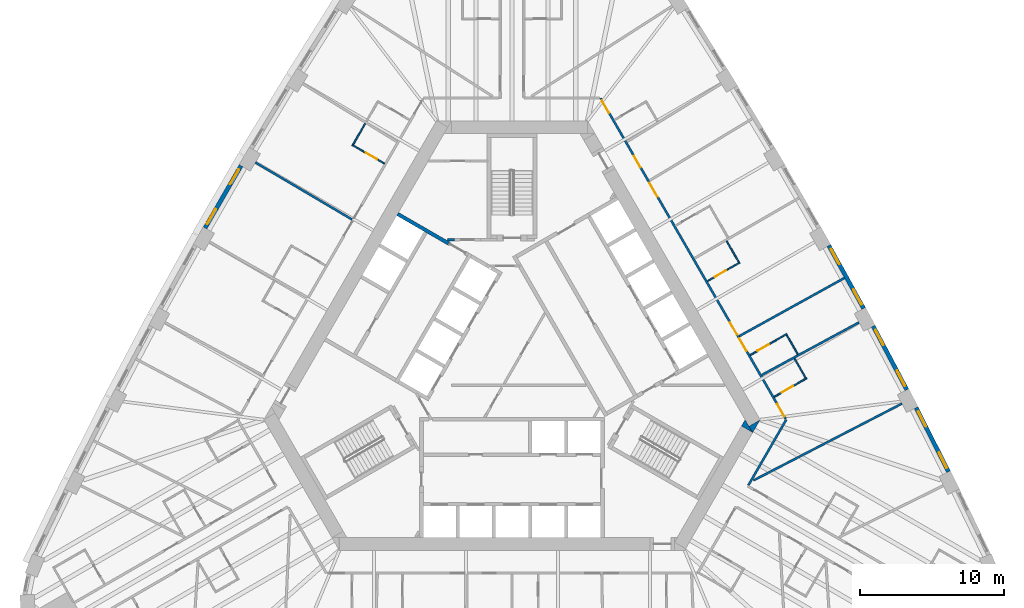
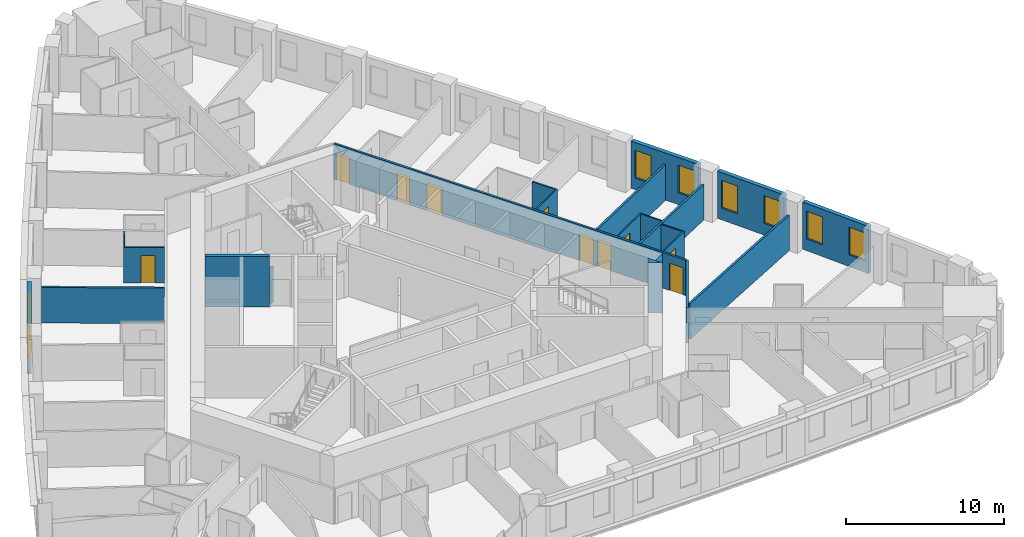
# One storey, part 9 of 13: 22 walls, 10 doors, 8 windows, 18 openings.
"""IFC4 building model written with IfcOpenShell, lengths in metres."""

from ifc_helpers import new_model, si_unit, direction, frame, frame_2d, origin, place, context, subcontext, project, spatial, polyline, rectangle, outline, extrude, material, layer, layer_set, type_object, element, fill, save


model = new_model("IFC4")

# Units and contexts
model_context = context("Model", 3, precision=1e-05, world=origin(), true_north=direction((0.0, 1.0)))
body_context = subcontext(model_context, "Body", "Model", "MODEL_VIEW")
ifc_project = project(units=[si_unit("LENGTHUNIT", "METRE"), si_unit("AREAUNIT", "SQUARE_METRE"), si_unit("VOLUMEUNIT", "CUBIC_METRE"), si_unit("PLANEANGLEUNIT", "RADIAN"), si_unit("MASSUNIT", "GRAM", prefix="KILO")], contexts=[model_context])

# Site, building, storey
site_placement = place(None, origin())
site = spatial("IfcSite", under=ifc_project, at=site_placement, CompositionType="ELEMENT")
building_placement = place(site_placement, origin())
building = spatial("IfcBuilding", under=site, at=building_placement, Name="Mestral Congress Tower", CompositionType="ELEMENT")
storey_placement = place(building_placement, frame((0.0, 0.0, 27.60009765625)))
storey = spatial("IfcBuildingStorey", under=building, at=storey_placement, Name="L05", CompositionType="ELEMENT", Elevation=27.60009765625)

# Walls
ifc_material_1 = material(Name="Fire-rated board partition")
ifc_layer_1 = layer(ifc_material_1, 0.14990234375)
ifc_layer_set_1 = layer_set([ifc_layer_1], Name="Fire-rated board partition")
wall_type_1 = type_object("IfcWallType", Name="Core partition 150", PredefinedType="PARTITIONING", material=ifc_layer_set_1)
wall_1_placement = place(storey_placement, frame((-3.99658203125, 8.625244140625, 0.0), z_axis=(0.0, 0.0, 1.0), x_axis=(-1.0, 0.0, 0.0)))
element("IfcWall", 1, at=wall_1_placement, inside=storey, type_object=wall_type_1, Name="L05 core wall", PredefinedType="PARTITIONING", context=body_context, shape_type="SweptSolid", body=[
    extrude(rectangle(XDim=0.502197265625, YDim=0.14990234375, at=frame_2d((0.2509765625, 0.0))), origin(), (0.0, 0.0, 1.0), 2.75),
])
ifc_material_2 = material(Name="Concrete C60/75", Category="concrete")
ifc_layer_2 = layer(ifc_material_2, 0.89990234375)
ifc_layer_set_2 = layer_set([ifc_layer_2], Name="Concrete C60/75")
wall_type_2 = type_object("IfcWallType", Name="Core wall RC 900", PredefinedType="SOLIDWALL", material=ifc_layer_set_2)
placement = place(storey_placement, origin())
element("IfcWall", 2, at=placement, inside=storey, type_object=wall_type_2, Name="L05 core wall", PredefinedType="SOLIDWALL", context=body_context, shape_type="SweptSolid", body=[
    extrude(outline(polyline([(16.7431640625, -4.800048828125), (16.4892578125, -4.360107421875), (17.251220703125, -3.920166015625), (16.7431640625, -4.800048828125)])), origin(), (0.0, 0.0, 1.0), 3.89990234375),
])
element("IfcWall", 3, at=placement, inside=storey, type_object=wall_type_2, Name="L05 core wall", PredefinedType="SOLIDWALL", context=body_context, shape_type="SweptSolid", body=[
    extrude(outline(polyline([(16.223388671875, -3.900146484375), (16.731689453125, -4.780029296875), (15.969482421875, -4.340087890625), (16.223388671875, -3.900146484375)])), origin(), (0.0, 0.0, 1.0), 3.89990234375),
])

# Wall, openings, windows
ifc_material_3 = material(Name="Precast concrete C40/50 with limestone facing", Category="masonry")
ifc_layer_3 = layer(ifc_material_3, 0.2900390625)
ifc_layer_set_3 = layer_set([ifc_layer_3], Name="Precast concrete C40/50 with limestone facing")
wall_type_3 = type_object("IfcWallType", Name="Facade stone wall 290", PredefinedType="SOLIDWALL", material=ifc_layer_set_3)
wall_4_placement = place(storey_placement, frame((30.376953125, -7.5205078125, 0.0), z_axis=(0.0, 0.0, 1.0), x_axis=(-0.451233929645, 0.892405704115, 0.0)))
wall_4 = element("IfcWall", 4, at=wall_4_placement, inside=storey, type_object=wall_type_3, Name="Facade wall F1-01", PredefinedType="SOLIDWALL", context=body_context, shape_type="SweptSolid", body=[
    extrude(rectangle(XDim=4.998291015625, YDim=0.2900390625, at=frame_2d((2.4990234375, 0.0))), origin(), (0.0, 0.0, 1.0), 3.64990234375),
])
opening_1_placement = place(wall_4_placement, frame((0.297119140625, 0.0, 0.89990234375)))
opening_1 = element("IfcOpeningElement", 5, at=opening_1_placement, cuts=wall_4, Name="Opening W1", PredefinedType="OPENING", context=body_context, shape_type="SweptSolid", body=[
    extrude(rectangle(XDim=1.199951171875, YDim=2.14990234375, at=frame_2d((0.60009765625, 1.074951171875))), frame((0.0, 0.155029296875, 0.0), z_axis=(0.0, -1.0, 0.0), x_axis=(1.0, 0.0, 0.0)), (0.0, 0.0, 1.0), 0.31005859375),
])
opening_2_placement = place(wall_4_placement, frame((3.501220703125, 0.0, 0.89990234375)))
opening_2 = element("IfcOpeningElement", 6, at=opening_2_placement, cuts=wall_4, Name="Opening W1", PredefinedType="OPENING", context=body_context, shape_type="SweptSolid", body=[
    extrude(rectangle(XDim=1.199951171875, YDim=2.14990234375, at=frame_2d((0.60009765625, 1.074951171875))), frame((0.0, 0.155029296875, 0.0), z_axis=(0.0, -1.0, 0.0), x_axis=(1.0, 0.0, 0.0)), (0.0, 0.0, 1.0), 0.31005859375),
])
ifc_material_4 = material(Name="Clear low-emissivity double glazing", Category="glass")
window_type = type_object("IfcWindowType", Name="Facade punched window 1200 x 2150 sill 900", PartitioningType="DOUBLE_PANEL_VERTICAL", PredefinedType="WINDOW", material=ifc_material_4)
window_1_placement = place(opening_1_placement, origin())
window_1 = element("IfcWindow", 7, at=window_1_placement, inside=storey, type_object=window_type, Name="Window F1-01a", OverallHeight=2.14990234375, OverallWidth=1.199951171875, PartitioningType="DOUBLE_PANEL_VERTICAL", PredefinedType="WINDOW", context=body_context, shape_type="SweptSolid", body=[
    extrude(rectangle(XDim=1.199951171875, YDim=2.14990234375, at=frame_2d((0.60009765625, 1.074951171875))), frame((0.0, 0.01513671875, 0.0), z_axis=(0.0, -1.0, 0.0), x_axis=(1.0, 0.0, 0.0)), (0.0, 0.0, 1.0), 0.06005859375),
])
fill(opening_1, window_1)
window_2_placement = place(opening_2_placement, origin())
window_2 = element("IfcWindow", 8, at=window_2_placement, inside=storey, type_object=window_type, Name="Window F1-01b", OverallHeight=2.14990234375, OverallWidth=1.199951171875, PartitioningType="DOUBLE_PANEL_VERTICAL", PredefinedType="WINDOW", context=body_context, shape_type="SweptSolid", body=[
    extrude(rectangle(XDim=1.199951171875, YDim=2.14990234375, at=frame_2d((0.60009765625, 1.074951171875))), frame((0.0, 0.01513671875, 0.0), z_axis=(0.0, -1.0, 0.0), x_axis=(1.0, 0.0, 0.0)), (0.0, 0.0, 1.0), 0.06005859375),
])
fill(opening_2, window_2)

wall_5_placement = place(storey_placement, frame((27.47509765625, -1.810302734375, 0.0), z_axis=(0.0, 0.0, 1.0), x_axis=(-0.467629620899, 0.883924509026, 0.0)))
wall_5 = element("IfcWall", 9, at=wall_5_placement, inside=storey, type_object=wall_type_3, Name="Facade wall F1-02", PredefinedType="SOLIDWALL", context=body_context, shape_type="SweptSolid", body=[
    extrude(rectangle(XDim=4.998291015625, YDim=0.2900390625, at=frame_2d((2.4990234375, 0.0))), origin(), (0.0, 0.0, 1.0), 3.64990234375),
])
opening_3_placement = place(wall_5_placement, frame((0.297119140625, 0.0, 0.89990234375)))
opening_3 = element("IfcOpeningElement", 10, at=opening_3_placement, cuts=wall_5, Name="Opening W1", PredefinedType="OPENING", context=body_context, shape_type="SweptSolid", body=[
    extrude(rectangle(XDim=1.199951171875, YDim=2.14990234375, at=frame_2d((0.60009765625, 1.074951171875))), frame((0.0, 0.155029296875, 0.0), z_axis=(0.0, -1.0, 0.0), x_axis=(1.0, 0.0, 0.0)), (0.0, 0.0, 1.0), 0.31005859375),
])
opening_4_placement = place(wall_5_placement, frame((3.501220703125, 0.0, 0.89990234375)))
opening_4 = element("IfcOpeningElement", 11, at=opening_4_placement, cuts=wall_5, Name="Opening W1", PredefinedType="OPENING", context=body_context, shape_type="SweptSolid", body=[
    extrude(rectangle(XDim=1.199951171875, YDim=2.14990234375, at=frame_2d((0.60009765625, 1.074951171875))), frame((0.0, 0.155029296875, 0.0), z_axis=(0.0, -1.0, 0.0), x_axis=(1.0, 0.0, 0.0)), (0.0, 0.0, 1.0), 0.31005859375),
])
window_3_placement = place(opening_3_placement, origin())
window_3 = element("IfcWindow", 12, at=window_3_placement, inside=storey, type_object=window_type, Name="Window F1-02a", OverallHeight=2.14990234375, OverallWidth=1.199951171875, PartitioningType="DOUBLE_PANEL_VERTICAL", PredefinedType="WINDOW", context=body_context, shape_type="SweptSolid", body=[
    extrude(rectangle(XDim=1.199951171875, YDim=2.14990234375, at=frame_2d((0.60009765625, 1.074951171875))), frame((0.0, 0.01513671875, 0.0), z_axis=(0.0, -1.0, 0.0), x_axis=(1.0, 0.0, 0.0)), (0.0, 0.0, 1.0), 0.06005859375),
])
fill(opening_3, window_3)
window_4_placement = place(opening_4_placement, origin())
window_4 = element("IfcWindow", 13, at=window_4_placement, inside=storey, type_object=window_type, Name="Window F1-02b", OverallHeight=2.14990234375, OverallWidth=1.199951171875, PartitioningType="DOUBLE_PANEL_VERTICAL", PredefinedType="WINDOW", context=body_context, shape_type="SweptSolid", body=[
    extrude(rectangle(XDim=1.199951171875, YDim=2.14990234375, at=frame_2d((0.60009765625, 1.074951171875))), frame((0.0, 0.01513671875, 0.0), z_axis=(0.0, -1.0, 0.0), x_axis=(1.0, 0.0, 0.0)), (0.0, 0.0, 1.0), 0.06005859375),
])
fill(opening_4, window_4)

wall_6_placement = place(storey_placement, frame((24.46826171875, 3.845703125, 0.0), z_axis=(0.0, 0.0, 1.0), x_axis=(-0.483912572871, 0.875116347589, 0.0)))
wall_6 = element("IfcWall", 14, at=wall_6_placement, inside=storey, type_object=wall_type_3, Name="Facade wall F1-03", PredefinedType="SOLIDWALL", context=body_context, shape_type="SweptSolid", body=[
    extrude(rectangle(XDim=4.998291015625, YDim=0.2900390625, at=frame_2d((2.4990234375, 0.0))), origin(), (0.0, 0.0, 1.0), 3.64990234375),
])
opening_5_placement = place(wall_6_placement, frame((0.297119140625, 0.0, 0.89990234375)))
opening_5 = element("IfcOpeningElement", 15, at=opening_5_placement, cuts=wall_6, Name="Opening W1", PredefinedType="OPENING", context=body_context, shape_type="SweptSolid", body=[
    extrude(rectangle(XDim=1.199951171875, YDim=2.14990234375, at=frame_2d((0.60009765625, 1.074951171875))), frame((0.0, 0.155029296875, 0.0), z_axis=(0.0, -1.0, 0.0), x_axis=(1.0, 0.0, 0.0)), (0.0, 0.0, 1.0), 0.31005859375),
])
opening_6_placement = place(wall_6_placement, frame((3.501220703125, 0.0, 0.89990234375)))
opening_6 = element("IfcOpeningElement", 16, at=opening_6_placement, cuts=wall_6, Name="Opening W1", PredefinedType="OPENING", context=body_context, shape_type="SweptSolid", body=[
    extrude(rectangle(XDim=1.199951171875, YDim=2.14990234375, at=frame_2d((0.60009765625, 1.074951171875))), frame((0.0, 0.155029296875, 0.0), z_axis=(0.0, -1.0, 0.0), x_axis=(1.0, 0.0, 0.0)), (0.0, 0.0, 1.0), 0.31005859375),
])
window_5_placement = place(opening_5_placement, origin())
window_5 = element("IfcWindow", 17, at=window_5_placement, inside=storey, type_object=window_type, Name="Window F1-03a", OverallHeight=2.14990234375, OverallWidth=1.199951171875, PartitioningType="DOUBLE_PANEL_VERTICAL", PredefinedType="WINDOW", context=body_context, shape_type="SweptSolid", body=[
    extrude(rectangle(XDim=1.199951171875, YDim=2.14990234375, at=frame_2d((0.60009765625, 1.074951171875))), frame((0.0, 0.01513671875, 0.0), z_axis=(0.0, -1.0, 0.0), x_axis=(1.0, 0.0, 0.0)), (0.0, 0.0, 1.0), 0.06005859375),
])
fill(opening_5, window_5)
window_6_placement = place(opening_6_placement, origin())
window_6 = element("IfcWindow", 18, at=window_6_placement, inside=storey, type_object=window_type, Name="Window F1-03b", OverallHeight=2.14990234375, OverallWidth=1.199951171875, PartitioningType="DOUBLE_PANEL_VERTICAL", PredefinedType="WINDOW", context=body_context, shape_type="SweptSolid", body=[
    extrude(rectangle(XDim=1.199951171875, YDim=2.14990234375, at=frame_2d((0.60009765625, 1.074951171875))), frame((0.0, 0.01513671875, 0.0), z_axis=(0.0, -1.0, 0.0), x_axis=(1.0, 0.0, 0.0)), (0.0, 0.0, 1.0), 0.06005859375),
])
fill(opening_6, window_6)

wall_7_placement = place(storey_placement, frame((-18.85791015625, 13.7734375, 0.0), z_axis=(0.0, 0.0, 1.0), x_axis=(-0.50002123722, -0.866013142123, 0.0)))
wall_7 = element("IfcWall", 19, at=wall_7_placement, inside=storey, type_object=wall_type_3, Name="Facade wall F2-04", PredefinedType="SOLIDWALL", context=body_context, shape_type="SweptSolid", body=[
    extrude(rectangle(XDim=4.998291015625, YDim=0.2900390625, at=frame_2d((2.4990234375, 0.0))), origin(), (0.0, 0.0, 1.0), 3.64990234375),
])
opening_7_placement = place(wall_7_placement, frame((0.297119140625, 0.0, 0.89990234375)))
opening_7 = element("IfcOpeningElement", 20, at=opening_7_placement, cuts=wall_7, Name="Opening W1", PredefinedType="OPENING", context=body_context, shape_type="SweptSolid", body=[
    extrude(rectangle(XDim=1.199951171875, YDim=2.14990234375, at=frame_2d((0.60009765625, 1.074951171875))), frame((0.0, 0.155029296875, 0.0), z_axis=(0.0, -1.0, 0.0), x_axis=(1.0, 0.0, 0.0)), (0.0, 0.0, 1.0), 0.31005859375),
])
opening_8_placement = place(wall_7_placement, frame((3.501220703125, 0.0, 0.89990234375)))
opening_8 = element("IfcOpeningElement", 21, at=opening_8_placement, cuts=wall_7, Name="Opening W1", PredefinedType="OPENING", context=body_context, shape_type="SweptSolid", body=[
    extrude(rectangle(XDim=1.199951171875, YDim=2.14990234375, at=frame_2d((0.60009765625, 1.074951171875))), frame((0.0, 0.155029296875, 0.0), z_axis=(0.0, -1.0, 0.0), x_axis=(1.0, 0.0, 0.0)), (0.0, 0.0, 1.0), 0.31005859375),
])
window_7_placement = place(opening_7_placement, origin())
window_7 = element("IfcWindow", 22, at=window_7_placement, inside=storey, type_object=window_type, Name="Window F2-04a", OverallHeight=2.14990234375, OverallWidth=1.199951171875, PartitioningType="DOUBLE_PANEL_VERTICAL", PredefinedType="WINDOW", context=body_context, shape_type="SweptSolid", body=[
    extrude(rectangle(XDim=1.199951171875, YDim=2.14990234375, at=frame_2d((0.60009765625, 1.074951171875))), frame((0.0, 0.01513671875, 0.0), z_axis=(0.0, -1.0, 0.0), x_axis=(1.0, 0.0, 0.0)), (0.0, 0.0, 1.0), 0.06005859375),
])
fill(opening_7, window_7)
window_8_placement = place(opening_8_placement, origin())
window_8 = element("IfcWindow", 23, at=window_8_placement, inside=storey, type_object=window_type, Name="Window F2-04b", OverallHeight=2.14990234375, OverallWidth=1.199951171875, PartitioningType="DOUBLE_PANEL_VERTICAL", PredefinedType="WINDOW", context=body_context, shape_type="SweptSolid", body=[
    extrude(rectangle(XDim=1.199951171875, YDim=2.14990234375, at=frame_2d((0.60009765625, 1.074951171875))), frame((0.0, 0.01513671875, 0.0), z_axis=(0.0, -1.0, 0.0), x_axis=(1.0, 0.0, 0.0)), (0.0, 0.0, 1.0), 0.06005859375),
])
fill(opening_8, window_8)

# Wall, opening, door
ifc_material_5 = material(Name="Gypsum board partition on metal studs with mineral wool", Category="composite")
ifc_layer_4 = layer(ifc_material_5, 0.10009765625)
ifc_layer_set_4 = layer_set([ifc_layer_4], Name="Gypsum board partition on metal studs with mineral wool")
wall_type_4 = type_object("IfcWallType", Name="Hotel partition wall 100", PredefinedType="PARTITIONING", material=ifc_layer_set_4)
wall_8_placement = place(storey_placement, frame((18.25048828125, -2.31103515625, 0.0), z_axis=(0.0, 0.0, 1.0), x_axis=(0.866021400173, 0.500006934395, 0.0)))
wall_8 = element("IfcWall", 24, at=wall_8_placement, inside=storey, type_object=wall_type_4, Name="L05-h-pod13a", PredefinedType="PARTITIONING", context=body_context, shape_type="SweptSolid", body=[
    extrude(rectangle(XDim=2.60009765625, YDim=0.10009765625, at=frame_2d((1.300048828125, 0.0))), origin(), (0.0, 0.0, 1.0), 2.75),
])
opening_9_placement = place(wall_8_placement, frame((0.60009765625, 0.0, 0.0)))
opening_9 = element("IfcOpeningElement", 25, at=opening_9_placement, cuts=wall_8, Name="Opening H01-025", PredefinedType="OPENING", context=body_context, shape_type="SweptSolid", body=[
    extrude(rectangle(XDim=0.89990234375, YDim=2.10009765625, at=frame_2d((0.449951171875, 1.050048828125))), frame((0.0, 0.06005859375, 0.0), z_axis=(0.0, -1.0, 0.0), x_axis=(1.0, 0.0, 0.0)), (0.0, 0.0, 1.0), 0.1201171875),
])
ifc_material_6 = material(Name="Timber veneer door leaf in timber frame", Category="wood")
door_type_1 = type_object("IfcDoorType", Name="Bathroom door 900", OperationType="SINGLE_SWING_LEFT", PredefinedType="DOOR", material=ifc_material_6)
door_1_placement = place(opening_9_placement, origin())
door_1 = element("IfcDoor", 26, at=door_1_placement, inside=storey, type_object=door_type_1, Name="L05-h-d025", OperationType="SINGLE_SWING_LEFT", OverallHeight=2.10009765625, OverallWidth=0.89990234375, PredefinedType="DOOR", context=body_context, shape_type="SweptSolid", body=[
    extrude(rectangle(XDim=0.89990234375, YDim=2.10009765625, at=frame_2d((0.449951171875, 1.050048828125))), frame((0.0, 0.02490234375, 0.0), z_axis=(0.0, -1.0, 0.0), x_axis=(1.0, 0.0, 0.0)), (0.0, 0.0, 1.0), 0.050048828125),
])
fill(opening_9, door_1)

# Wall
wall_9_placement = place(storey_placement, frame((20.43408203125, -0.99267578125, 0.0), z_axis=(0.0, 0.0, 1.0), x_axis=(-0.500086022567, 0.865975732936, 0.0)))
element("IfcWall", 27, at=wall_9_placement, inside=storey, type_object=wall_type_4, Name="L05-h-pod13b", PredefinedType="PARTITIONING", context=body_context, shape_type="SweptSolid", body=[
    extrude(rectangle(XDim=1.550048828125, YDim=0.10009765625, at=frame_2d((0.77490234375, 0.0))), origin(), (0.0, 0.0, 1.0), 2.75),
])

# Wall, opening, door
wall_10_placement = place(storey_placement, frame((19.127197265625, 2.070556640625, 0.0), z_axis=(0.0, 0.0, 1.0), x_axis=(-0.866003658127, -0.500037662692, 0.0)))
wall_10 = element("IfcWall", 28, at=wall_10_placement, inside=storey, type_object=wall_type_4, Name="L05-h-pod14a", PredefinedType="PARTITIONING", context=body_context, shape_type="SweptSolid", body=[
    extrude(rectangle(XDim=2.949951171875, YDim=0.10009765625, at=frame_2d((1.47509765625, 0.0))), origin(), (0.0, 0.0, 1.0), 2.75),
])
opening_10_placement = place(wall_10_placement, frame((1.449951171875, 0.0, 0.0)))
opening_10 = element("IfcOpeningElement", 29, at=opening_10_placement, cuts=wall_10, Name="Opening H01-027", PredefinedType="OPENING", context=body_context, shape_type="SweptSolid", body=[
    extrude(rectangle(XDim=0.89990234375, YDim=2.10009765625, at=frame_2d((0.449951171875, 1.050048828125))), frame((0.0, 0.06005859375, 0.0), z_axis=(0.0, -1.0, 0.0), x_axis=(1.0, 0.0, 0.0)), (0.0, 0.0, 1.0), 0.1201171875),
])
door_2_placement = place(opening_10_placement, origin())
door_2 = element("IfcDoor", 30, at=door_2_placement, inside=storey, type_object=door_type_1, Name="L05-h-d027", OperationType="SINGLE_SWING_LEFT", OverallHeight=2.10009765625, OverallWidth=0.89990234375, PredefinedType="DOOR", context=body_context, shape_type="SweptSolid", body=[
    extrude(rectangle(XDim=0.89990234375, YDim=2.10009765625, at=frame_2d((0.449951171875, 1.050048828125))), frame((0.0, 0.02490234375, 0.0), z_axis=(0.0, -1.0, 0.0), x_axis=(1.0, 0.0, 0.0)), (0.0, 0.0, 1.0), 0.050048828125),
])
fill(opening_10, door_2)

# Wall
wall_11_placement = place(storey_placement, frame((19.10888671875, 2.002197265625, 0.0), z_axis=(0.0, 0.0, 1.0), x_axis=(0.500086022567, -0.865975732936, 0.0)))
element("IfcWall", 31, at=wall_11_placement, inside=storey, type_object=wall_type_4, Name="L05-h-pod14b", PredefinedType="PARTITIONING", context=body_context, shape_type="SweptSolid", body=[
    extrude(rectangle(XDim=1.550048828125, YDim=0.10009765625, at=frame_2d((0.77490234375, 0.0))), origin(), (0.0, 0.0, 1.0), 2.75),
])

# Wall, opening, door
wall_12_placement = place(storey_placement, frame((13.60009765625, 5.743896484375, 0.0), z_axis=(0.0, 0.0, 1.0), x_axis=(0.866021400173, 0.500006934395, 0.0)))
wall_12 = element("IfcWall", 32, at=wall_12_placement, inside=storey, type_object=wall_type_4, Name="L05-h-pod15a", PredefinedType="PARTITIONING", context=body_context, shape_type="SweptSolid", body=[
    extrude(rectangle(XDim=2.60009765625, YDim=0.10009765625, at=frame_2d((1.300048828125, 0.0))), origin(), (0.0, 0.0, 1.0), 2.75),
])
opening_11_placement = place(wall_12_placement, frame((0.60009765625, 0.0, 0.0)))
opening_11 = element("IfcOpeningElement", 33, at=opening_11_placement, cuts=wall_12, Name="Opening H01-029", PredefinedType="OPENING", context=body_context, shape_type="SweptSolid", body=[
    extrude(rectangle(XDim=0.89990234375, YDim=2.10009765625, at=frame_2d((0.449951171875, 1.050048828125))), frame((0.0, 0.06005859375, 0.0), z_axis=(0.0, -1.0, 0.0), x_axis=(1.0, 0.0, 0.0)), (0.0, 0.0, 1.0), 0.1201171875),
])
door_3_placement = place(opening_11_placement, origin())
door_3 = element("IfcDoor", 34, at=door_3_placement, inside=storey, type_object=door_type_1, Name="L05-h-d029", OperationType="SINGLE_SWING_RIGHT", OverallHeight=2.10009765625, OverallWidth=0.89990234375, PredefinedType="DOOR", context=body_context, shape_type="SweptSolid", body=[
    extrude(rectangle(XDim=0.89990234375, YDim=2.10009765625, at=frame_2d((0.449951171875, 1.050048828125))), frame((0.0, 0.02490234375, 0.0), z_axis=(0.0, -1.0, 0.0), x_axis=(1.0, 0.0, 0.0)), (0.0, 0.0, 1.0), 0.050048828125),
])
fill(opening_11, door_3)

# Wall
wall_13_placement = place(storey_placement, frame((15.778564453125, 7.07080078125, 0.0), z_axis=(0.0, 0.0, 1.0), x_axis=(-0.499976720371, 0.866038843867, 0.0)))
element("IfcWall", 35, at=wall_13_placement, inside=storey, type_object=wall_type_4, Name="L05-h-pod15b", PredefinedType="PARTITIONING", context=body_context, shape_type="SweptSolid", body=[
    extrude(rectangle(XDim=1.68994140625, YDim=0.10009765625, at=frame_2d((0.844970703125, 0.0))), origin(), (0.0, 0.0, 1.0), 2.75),
])

# Wall, opening, door
wall_14_placement = place(storey_placement, frame((-11.12890625, 15.22412109375, 0.0), z_axis=(0.0, 0.0, 1.0), x_axis=(0.866021400173, -0.500006934395, 0.0)))
wall_14 = element("IfcWall", 36, at=wall_14_placement, inside=storey, type_object=wall_type_4, Name="L05-h-pod24a", PredefinedType="PARTITIONING", context=body_context, shape_type="SweptSolid", body=[
    extrude(rectangle(XDim=2.60009765625, YDim=0.10009765625, at=frame_2d((1.300048828125, 0.0))), origin(), (0.0, 0.0, 1.0), 2.75),
])
opening_12_placement = place(wall_14_placement, frame((1.10009765625, 0.0, 0.0)))
opening_12 = element("IfcOpeningElement", 37, at=opening_12_placement, cuts=wall_14, Name="Opening H01-046", PredefinedType="OPENING", context=body_context, shape_type="SweptSolid", body=[
    extrude(rectangle(XDim=0.89990234375, YDim=2.10009765625, at=frame_2d((0.449951171875, 1.050048828125))), frame((0.0, 0.06005859375, 0.0), z_axis=(0.0, -1.0, 0.0), x_axis=(1.0, 0.0, 0.0)), (0.0, 0.0, 1.0), 0.1201171875),
])
door_4_placement = place(opening_12_placement, origin())
door_4 = element("IfcDoor", 38, at=door_4_placement, inside=storey, type_object=door_type_1, Name="L05-h-d046", OperationType="SINGLE_SWING_RIGHT", OverallHeight=2.10009765625, OverallWidth=0.89990234375, PredefinedType="DOOR", context=body_context, shape_type="SweptSolid", body=[
    extrude(rectangle(XDim=0.89990234375, YDim=2.10009765625, at=frame_2d((0.449951171875, 1.050048828125))), frame((0.0, 0.02490234375, 0.0), z_axis=(0.0, -1.0, 0.0), x_axis=(1.0, 0.0, 0.0)), (0.0, 0.0, 1.0), 0.050048828125),
])
fill(opening_12, door_4)

# Walls
wall_15_placement = place(storey_placement, frame((-11.060791015625, 15.2421875, 0.0), z_axis=(0.0, 0.0, 1.0), x_axis=(0.499976720371, 0.866038843867, 0.0)))
element("IfcWall", 39, at=wall_15_placement, inside=storey, type_object=wall_type_4, Name="L05-h-pod24b", PredefinedType="PARTITIONING", context=body_context, shape_type="SweptSolid", body=[
    extrude(rectangle(XDim=1.68994140625, YDim=0.10009765625, at=frame_2d((0.844970703125, 0.0))), origin(), (0.0, 0.0, 1.0), 2.75),
])
ifc_layer_5 = layer(ifc_material_5, 0.14990234375)
ifc_layer_set_5 = layer_set([ifc_layer_5], Name="Gypsum board partition on metal studs with mineral wool")
wall_type_5 = type_object("IfcWallType", Name="Hotel partition wall 150", PredefinedType="PARTITIONING", material=ifc_layer_set_5)
wall_16_placement = place(storey_placement, frame((19.081298828125, -3.89990234375, 0.0), z_axis=(0.0, 0.0, 1.0), x_axis=(-0.499974327079, -0.866040225545, 0.0)))
element("IfcWall", 40, at=wall_16_placement, inside=storey, type_object=wall_type_5, Name="L05-h-cw02", PredefinedType="PARTITIONING", context=body_context, shape_type="SweptSolid", body=[
    extrude(rectangle(XDim=5.258056640625, YDim=0.14990234375, at=frame_2d((2.62890625, 0.0))), origin(), (0.0, 0.0, 1.0), 2.75),
])

# Wall, openings, doors
wall_17_placement = place(storey_placement, frame((6.1630859375, 18.47509765625, 0.0), z_axis=(0.0, 0.0, 1.0), x_axis=(0.500001317485, -0.866024643133, 0.0)))
wall_17 = element("IfcWall", 41, at=wall_17_placement, inside=storey, type_object=wall_type_5, Name="L05-h-cw03", PredefinedType="PARTITIONING", context=body_context, shape_type="SweptSolid", body=[
    extrude(rectangle(XDim=25.7666015625, YDim=0.14990234375, at=frame_2d((12.88330078125, 0.0))), origin(), (0.0, 0.0, 1.0), 2.75),
])
opening_13_placement = place(wall_17_placement, frame((24.58642578125, 0.0, 0.0)))
opening_13 = element("IfcOpeningElement", 42, at=opening_13_placement, cuts=wall_17, Name="Opening H01-024", PredefinedType="OPENING", context=body_context, shape_type="SweptSolid", body=[
    extrude(rectangle(XDim=1.0, YDim=2.10009765625, at=frame_2d((0.5, 1.050048828125))), frame((0.0, 0.0849609375, 0.0), z_axis=(0.0, -1.0, 0.0), x_axis=(1.0, 0.0, 0.0)), (0.0, 0.0, 1.0), 0.169921875),
])
opening_14_placement = place(wall_17_placement, frame((19.3193359375, 0.0, 0.0)))
opening_14 = element("IfcOpeningElement", 43, at=opening_14_placement, cuts=wall_17, Name="Opening H01-026", PredefinedType="OPENING", context=body_context, shape_type="SweptSolid", body=[
    extrude(rectangle(XDim=1.0, YDim=2.10009765625, at=frame_2d((0.5, 1.050048828125))), frame((0.0, 0.0849609375, 0.0), z_axis=(0.0, -1.0, 0.0), x_axis=(1.0, 0.0, 0.0)), (0.0, 0.0, 1.0), 0.169921875),
])
opening_15_placement = place(wall_17_placement, frame((18.012451171875, 0.0, 0.0)))
opening_15 = element("IfcOpeningElement", 44, at=opening_15_placement, cuts=wall_17, Name="Opening H01-028", PredefinedType="OPENING", context=body_context, shape_type="SweptSolid", body=[
    extrude(rectangle(XDim=1.0, YDim=2.10009765625, at=frame_2d((0.5, 1.050048828125))), frame((0.0, 0.0849609375, 0.0), z_axis=(0.0, -1.0, 0.0), x_axis=(1.0, 0.0, 0.0)), (0.0, 0.0, 1.0), 0.169921875),
])
opening_16_placement = place(wall_17_placement, frame((6.82421875, 0.0, 0.0)))
opening_16 = element("IfcOpeningElement", 45, at=opening_16_placement, cuts=wall_17, Name="Opening H01-030", PredefinedType="OPENING", context=body_context, shape_type="SweptSolid", body=[
    extrude(rectangle(XDim=1.10009765625, YDim=2.10009765625, at=frame_2d((0.550048828125, 1.050048828125))), frame((0.0, 0.0849609375, 0.0), z_axis=(0.0, -1.0, 0.0), x_axis=(1.0, 0.0, 0.0)), (0.0, 0.0, 1.0), 0.169921875),
])
opening_17_placement = place(wall_17_placement, frame((4.65771484375, 0.0, 0.0)))
opening_17 = element("IfcOpeningElement", 46, at=opening_17_placement, cuts=wall_17, Name="Opening H01-032", PredefinedType="OPENING", context=body_context, shape_type="SweptSolid", body=[
    extrude(rectangle(XDim=0.89990234375, YDim=2.10009765625, at=frame_2d((0.449951171875, 1.050048828125))), frame((0.0, 0.0849609375, 0.0), z_axis=(0.0, -1.0, 0.0), x_axis=(1.0, 0.0, 0.0)), (0.0, 0.0, 1.0), 0.169921875),
])
opening_18_placement = place(wall_17_placement, frame((0.179931640625, 0.0, 0.0)))
opening_18 = element("IfcOpeningElement", 47, at=opening_18_placement, cuts=wall_17, Name="Opening H01-033", PredefinedType="OPENING", context=body_context, shape_type="SweptSolid", body=[
    extrude(rectangle(XDim=1.0, YDim=2.10009765625, at=frame_2d((0.5, 1.050048828125))), frame((0.0, 0.0849609375, 0.0), z_axis=(0.0, -1.0, 0.0), x_axis=(1.0, 0.0, 0.0)), (0.0, 0.0, 1.0), 0.169921875),
])
ifc_material_7 = material(Name="Timber veneer door leaf in metal frame", Category="wood")
door_type_2 = type_object("IfcDoorType", Name="Accessible room entrance door 1100", OperationType="SINGLE_SWING_LEFT", PredefinedType="DOOR", material=ifc_material_7)
door_5_placement = place(opening_16_placement, origin())
door_5 = element("IfcDoor", 48, at=door_5_placement, inside=storey, type_object=door_type_2, Name="L05-h-d030", OperationType="SINGLE_SWING_LEFT", OverallHeight=2.10009765625, OverallWidth=1.10009765625, PredefinedType="DOOR", context=body_context, shape_type="SweptSolid", body=[
    extrude(rectangle(XDim=1.10009765625, YDim=2.10009765625, at=frame_2d((0.550048828125, 1.050048828125))), frame((0.0, 0.02490234375, 0.0), z_axis=(0.0, -1.0, 0.0), x_axis=(1.0, 0.0, 0.0)), (0.0, 0.0, 1.0), 0.050048828125),
])
fill(opening_16, door_5)
door_type_3 = type_object("IfcDoorType", Name="Guest room entrance door 1000", OperationType="SINGLE_SWING_LEFT", PredefinedType="DOOR", material=ifc_material_7)
door_6_placement = place(opening_13_placement, origin())
door_6 = element("IfcDoor", 49, at=door_6_placement, inside=storey, type_object=door_type_3, Name="L05-h-d024", OperationType="SINGLE_SWING_RIGHT", OverallHeight=2.10009765625, OverallWidth=1.0, PredefinedType="DOOR", context=body_context, shape_type="SweptSolid", body=[
    extrude(rectangle(XDim=1.0, YDim=2.10009765625, at=frame_2d((0.5, 1.050048828125))), frame((0.0, 0.02490234375, 0.0), z_axis=(0.0, -1.0, 0.0), x_axis=(1.0, 0.0, 0.0)), (0.0, 0.0, 1.0), 0.050048828125),
])
fill(opening_13, door_6)
door_7_placement = place(opening_14_placement, origin())
door_7 = element("IfcDoor", 50, at=door_7_placement, inside=storey, type_object=door_type_3, Name="L05-h-d026", OperationType="SINGLE_SWING_LEFT", OverallHeight=2.10009765625, OverallWidth=1.0, PredefinedType="DOOR", context=body_context, shape_type="SweptSolid", body=[
    extrude(rectangle(XDim=1.0, YDim=2.10009765625, at=frame_2d((0.5, 1.050048828125))), frame((0.0, 0.02490234375, 0.0), z_axis=(0.0, -1.0, 0.0), x_axis=(1.0, 0.0, 0.0)), (0.0, 0.0, 1.0), 0.050048828125),
])
fill(opening_14, door_7)
door_8_placement = place(opening_15_placement, origin())
door_8 = element("IfcDoor", 51, at=door_8_placement, inside=storey, type_object=door_type_3, Name="L05-h-d028", OperationType="SINGLE_SWING_RIGHT", OverallHeight=2.10009765625, OverallWidth=1.0, PredefinedType="DOOR", context=body_context, shape_type="SweptSolid", body=[
    extrude(rectangle(XDim=1.0, YDim=2.10009765625, at=frame_2d((0.5, 1.050048828125))), frame((0.0, 0.02490234375, 0.0), z_axis=(0.0, -1.0, 0.0), x_axis=(1.0, 0.0, 0.0)), (0.0, 0.0, 1.0), 0.050048828125),
])
fill(opening_15, door_8)
door_9_placement = place(opening_18_placement, origin())
door_9 = element("IfcDoor", 52, at=door_9_placement, inside=storey, type_object=door_type_3, Name="L05-h-d033", OperationType="SINGLE_SWING_LEFT", OverallHeight=2.10009765625, OverallWidth=1.0, PredefinedType="DOOR", context=body_context, shape_type="SweptSolid", body=[
    extrude(rectangle(XDim=1.0, YDim=2.10009765625, at=frame_2d((0.5, 1.050048828125))), frame((0.0, 0.02490234375, 0.0), z_axis=(0.0, -1.0, 0.0), x_axis=(1.0, 0.0, 0.0)), (0.0, 0.0, 1.0), 0.050048828125),
])
fill(opening_18, door_9)
door_type_4 = type_object("IfcDoorType", Name="Service room door 900", OperationType="SINGLE_SWING_LEFT", PredefinedType="DOOR", material=ifc_material_7)
door_10_placement = place(opening_17_placement, origin())
door_10 = element("IfcDoor", 53, at=door_10_placement, inside=storey, type_object=door_type_4, Name="L05-h-d032", OperationType="SINGLE_SWING_LEFT", OverallHeight=2.10009765625, OverallWidth=0.89990234375, PredefinedType="DOOR", context=body_context, shape_type="SweptSolid", body=[
    extrude(rectangle(XDim=0.89990234375, YDim=2.10009765625, at=frame_2d((0.449951171875, 1.050048828125))), frame((0.0, 0.02490234375, 0.0), z_axis=(0.0, -1.0, 0.0), x_axis=(1.0, 0.0, 0.0)), (0.0, 0.0, 1.0), 0.050048828125),
])
fill(opening_17, door_10)

# Walls
wall_18_placement = place(storey_placement, frame((-17.85595703125, 13.999267578125, 0.0), z_axis=(0.0, 0.0, 1.0), x_axis=(0.861371519381, -0.507975497047, 0.0)))
element("IfcWall", 54, at=wall_18_placement, inside=storey, type_object=wall_type_5, Name="L05-h-pw09", PredefinedType="PARTITIONING", context=body_context, shape_type="SweptSolid", body=[
    extrude(rectangle(XDim=7.8037109375, YDim=0.14990234375, at=frame_2d((3.90185546875, 0.0))), origin(), (0.0, 0.0, 1.0), 2.75),
])
wall_19_placement = place(storey_placement, frame((23.1318359375, 5.96240234375, 0.0), z_axis=(0.0, 0.0, 1.0), x_axis=(-0.875121716713, -0.483902863121, 0.0)))
element("IfcWall", 55, at=wall_19_placement, inside=storey, type_object=wall_type_5, Name="L05-h-pw24", PredefinedType="PARTITIONING", context=body_context, shape_type="SweptSolid", body=[
    extrude(rectangle(XDim=8.35546875, YDim=0.14990234375, at=frame_2d((4.177734375, 0.0))), origin(), (0.0, 0.0, 1.0), 2.75),
])
wall_20_placement = place(storey_placement, frame((27.133544921875, -2.779052734375, 0.0), z_axis=(0.0, 0.0, 1.0), x_axis=(-0.8882049501, -0.459447457951, 0.0)))
element("IfcWall", 56, at=wall_20_placement, inside=storey, type_object=wall_type_5, Name="L05-h-pw25", PredefinedType="PARTITIONING", context=body_context, shape_type="SweptSolid", body=[
    extrude(rectangle(XDim=11.63818359375, YDim=0.14990234375, at=frame_2d((5.819091796875, 0.0))), origin(), (0.0, 0.0, 1.0), 2.75),
])
wall_21_placement = place(storey_placement, frame((24.14453125, 2.87060546875, 0.0), z_axis=(0.0, 0.0, 1.0), x_axis=(-0.879551725039, -0.475803281809, 0.0)))
element("IfcWall", 57, at=wall_21_placement, inside=storey, type_object=wall_type_5, Name="L05-h-pw26", PredefinedType="PARTITIONING", context=body_context, shape_type="SweptSolid", body=[
    extrude(rectangle(XDim=7.68798828125, YDim=0.14990234375, at=frame_2d((3.843994140625, 0.0))), origin(), (0.0, 0.0, 1.0), 2.75),
])
ifc_layer_6 = layer(ifc_material_2, 0.25)
ifc_layer_set_6 = layer_set([ifc_layer_6], Name="Concrete C60/75")
wall_type_6 = type_object("IfcWallType", Name="Shaft wall RC 250", PredefinedType="SOLIDWALL", material=ifc_layer_set_6)
wall_22_placement = place(storey_placement, frame((-7.958984375, 10.414794921875, 0.0), z_axis=(0.0, 0.0, 1.0), x_axis=(0.866020958405, -0.500007699544, 0.0)))
element("IfcWall", 58, at=wall_22_placement, inside=storey, type_object=wall_type_6, Name="L05 core wall", PredefinedType="SOLIDWALL", context=body_context, shape_type="SweptSolid", body=[
    extrude(rectangle(XDim=4.099609375, YDim=0.25, at=frame_2d((2.0498046875, 0.0))), origin(), (0.0, 0.0, 1.0), 3.89990234375),
])

save(model, "model.ifc")
